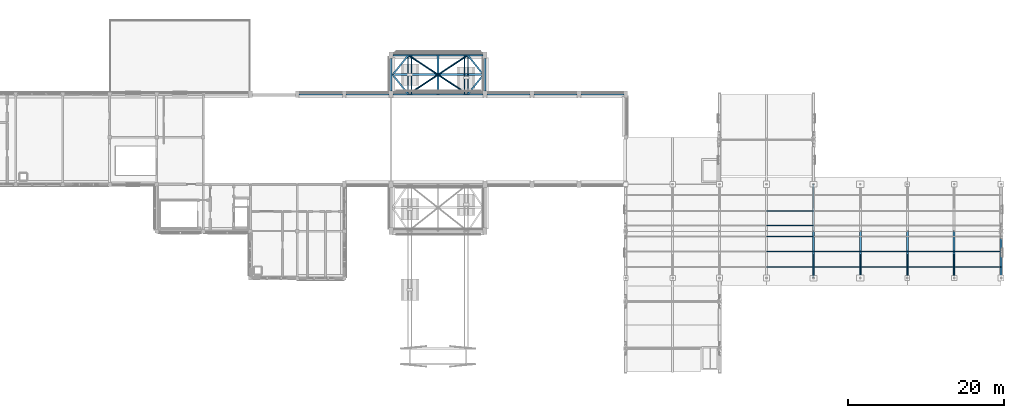
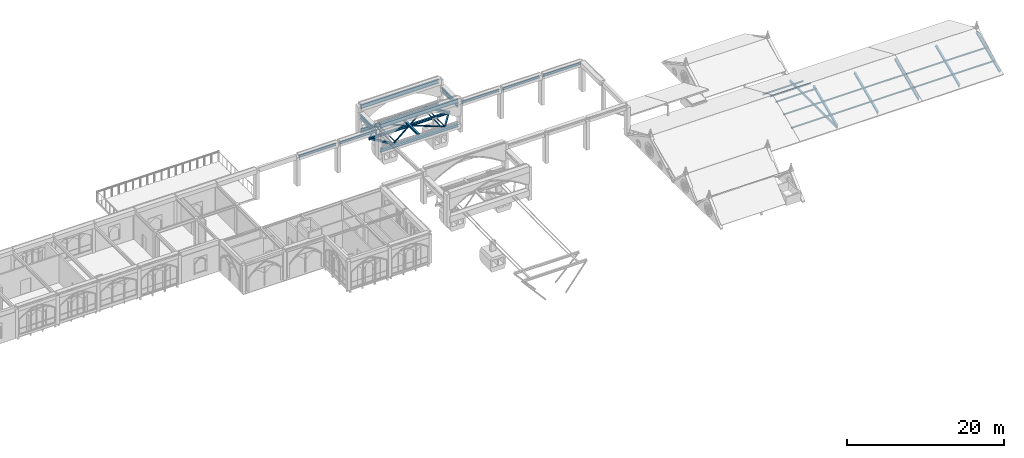
# One storey, part 28 of 59: 37 members, 11 beams.
"""IFC4 building model written with IfcOpenShell, lengths in metres."""

from ifc_helpers import new_model, si_unit, direction, frame, origin, origin_2d, place, context, subcontext, project, spatial, hollow_rectangle, hollow_circle, i_section, extrude, material, material_profile, profile_set, type_object, element, save


model = new_model("IFC4")

# Units and contexts
model_context = context("Model", 3, precision=1e-05, world=origin(), true_north=direction((0.0, 1.0)))
body_context = subcontext(model_context, "Body", "Model", "MODEL_VIEW")
ifc_project = project(units=[si_unit("LENGTHUNIT", "METRE"), si_unit("AREAUNIT", "SQUARE_METRE"), si_unit("VOLUMEUNIT", "CUBIC_METRE"), si_unit("PLANEANGLEUNIT", "RADIAN"), si_unit("MASSUNIT", "GRAM", prefix="KILO")], contexts=[model_context])

# Site, building, storey
site_placement = place(None, origin())
site = spatial("IfcSite", under=ifc_project, at=site_placement, CompositionType="ELEMENT")
building_placement = place(site_placement, origin())
building = spatial("IfcBuilding", under=site, at=building_placement, Name="Cumevento Cable Car Station", CompositionType="ELEMENT")
storey_placement = place(building_placement, frame((0.0, 0.0, 18.0)))
storey = spatial("IfcBuildingStorey", under=building, at=storey_placement, Name="L05", CompositionType="ELEMENT", Elevation=18.0)

# Members
ifc_material_1 = material(Name="Steel ASTM A572 Grade 50", Category="steel")
ifc_material_profile_1 = material_profile(ifc_material_1, hollow_circle(Radius=0.06982421875, WallThickness=0.008056640625, at=origin_2d()), Name="CHS139.7x8.0")
ifc_profile_set_1 = profile_set([ifc_material_profile_1], Name="Steel ASTM A572 Grade 50")
member_type_1 = type_object("IfcMemberType", Name="Framing Brace BR-02 CHS139.7x8.0", PredefinedType="BRACE", material=ifc_profile_set_1)
for number, where, z_axis, x_axis, name in (
    (1, (90.179931640625, 56.5, 1.3798828125), (0.0, 1.0, 0.0), (-1.0, 0.0, 0.0), "North Summit Throat Track Rope A #660"),
    (2, (90.6201171875, 56.5, 1.3798828125), (0.0, 1.0, 0.0), (-1.0, 0.0, 0.0), "North Summit Throat Track Rope B #664"),
    (3, (97.3798828125, 56.5, 1.3798828125), (0.0, 1.0, 0.0), (-1.0, 0.0, 0.0), "North Summit Throat Track Rope A #668"),
    (4, (97.820068359375, 56.5, 1.3798828125), (0.0, 1.0, 0.0), (-1.0, 0.0, 0.0), "North Summit Throat Track Rope B #672"),
):
    element("IfcMember", number, at=place(storey_placement, frame(where, z_axis=z_axis, x_axis=x_axis)), inside=storey, type_object=member_type_1, Name=name, PredefinedType="BRACE", context=body_context, shape_type="SweptSolid", body=[
        extrude(hollow_circle(Radius=0.06982421875, WallThickness=0.008056640625, at=origin_2d()), origin(), (0.0, 0.0, 1.0), 5.0),
    ])
ifc_material_2 = material(Name="Steel ASTM A572 Grade 50", Category="steel")
ifc_material_profile_2 = material_profile(ifc_material_2, hollow_circle(Radius=0.109619140625, WallThickness=0.012451171875, at=origin_2d()), Name="CHS219.1x12.5")
ifc_profile_set_2 = profile_set([ifc_material_profile_2], Name="Steel ASTM A572 Grade 50")
member_type_2 = type_object("IfcMemberType", Name="Framing Brace TD-01 CHS219.1x12.5", PredefinedType="BRACE", material=ifc_profile_set_2)
for number, where, z_axis, x_axis, name in (
    (5, (94.0, 59.0, 1.3798828125), (-0.835420324919, -0.549611572578, 0.0), (0.549611572578, -0.835420324919, 0.0), "North Uphill Summit Ropeway Cabin Portal Bullwheel Radial Spoke #464"),
    (6, (94.0, 59.0, 1.3798828125), (0.835420324919, -0.549611572578, 0.0), (0.549611572578, 0.835420324919, 0.0), "North Uphill Summit Ropeway Cabin Portal Bullwheel Radial Spoke #466"),
    (7, (94.0, 59.0, 1.3798828125), (0.835420324919, 0.549611572578, 0.0), (-0.549611572578, 0.835420324919, 0.0), "North Uphill Summit Ropeway Cabin Portal Bullwheel Radial Spoke #468"),
    (8, (94.0, 59.0, 1.3798828125), (-0.835420324919, 0.549611572578, 0.0), (-0.549611572578, -0.835420324919, 0.0), "North Uphill Summit Ropeway Cabin Portal Bullwheel Radial Spoke #470"),
):
    element("IfcMember", number, at=place(storey_placement, frame(where, z_axis=z_axis, x_axis=x_axis)), inside=storey, type_object=member_type_2, Name=name, PredefinedType="BRACE", context=body_context, shape_type="SweptSolid", body=[
        extrude(hollow_circle(Radius=0.109619140625, WallThickness=0.012451171875, at=origin_2d()), origin(), (0.0, 0.0, 1.0), 4.548583984375),
    ])
ifc_material_3 = material(Name="Steel ASTM A572 Grade 50", Category="steel")
ifc_material_profile_3 = material_profile(ifc_material_3, hollow_circle(Radius=0.084228515625, WallThickness=0.010009765625, at=origin_2d()), Name="CHS168.3x10.0")
ifc_profile_set_3 = profile_set([ifc_material_profile_3], Name="Steel ASTM A572 Grade 50")
member_type_3 = type_object("IfcMemberType", Name="Framing Brace TD-02 CHS168.3x10.0", PredefinedType="BRACE", material=ifc_profile_set_3)
for number, where, z_axis, x_axis, name in (
    (9, (142.0, 33.0, 0.02001953125), (0.0, 0.886677465101, 0.462388443715), (-1.0, 0.0, 0.0), "Cabin Garage Truss Web Brace #364"),
    (10, (148.0, 33.0, 0.02001953125), (0.0, 0.886677465101, 0.462388443715), (-1.0, 0.0, 0.0), "Cabin Garage Truss Web Brace #372"),
    (11, (154.0, 33.0, 0.02001953125), (0.0, 0.886677465101, 0.462388443715), (-1.0, 0.0, 0.0), "Cabin Garage Truss Web Brace #380"),
    (12, (160.0, 33.0, 0.02001953125), (0.0, 0.886677465101, 0.462388443715), (-1.0, 0.0, 0.0), "Cabin Garage Truss Web Brace #388"),
):
    element("IfcMember", number, at=place(storey_placement, frame(where, z_axis=z_axis, x_axis=x_axis)), inside=storey, type_object=member_type_3, Name=name, PredefinedType="BRACE", context=body_context, shape_type="SweptSolid", body=[
        extrude(hollow_circle(Radius=0.084228515625, WallThickness=0.010009765625, at=origin_2d()), origin(), (0.0, 0.0, 1.0), 3.38330078125),
    ])
ifc_material_4 = material(Name="Steel ASTM A572 Grade 50", Category="steel")
ifc_material_profile_4 = material_profile(ifc_material_4, i_section(OverallWidth=0.257080078125, OverallDepth=0.363037109375, WebThickness=0.012939453125, FlangeThickness=0.021728515625, at=origin_2d()), Name="W360x122.0")
ifc_profile_set_4 = profile_set([ifc_material_profile_4], Name="Steel ASTM A572 Grade 50")
member_type_4 = type_object("IfcMemberType", Name="Framing Chord TC-01 W360x122.0", PredefinedType="CHORD", material=ifc_profile_set_4)
member_1_placement = place(storey_placement, frame((94.0, 56.5, 1.3798828125), z_axis=(0.0, 1.0, 0.0), x_axis=(-1.0, 0.0, 0.0)))
element("IfcMember", 13, at=member_1_placement, inside=storey, type_object=member_type_4, Name="North Uphill Summit Ropeway Cabin Portal Bullwheel Spine Carrier #462", PredefinedType="CHORD", context=body_context, shape_type="SweptSolid", body=[
    extrude(i_section(OverallWidth=0.257080078125, OverallDepth=0.363037109375, WebThickness=0.012939453125, FlangeThickness=0.021728515625, at=origin_2d()), origin(), (0.0, 0.0, 1.0), 5.0),
])
member_2_placement = place(storey_placement, frame((88.0, 59.0, 1.3798828125), z_axis=(1.0, 0.0, 0.0), x_axis=(0.0, 1.0, 0.0)))
element("IfcMember", 14, at=member_2_placement, inside=storey, type_object=member_type_4, Name="North Uphill Summit Ropeway Cabin Portal Bullwheel Cross Carrier #463", PredefinedType="CHORD", context=body_context, shape_type="SweptSolid", body=[
    extrude(i_section(OverallWidth=0.257080078125, OverallDepth=0.363037109375, WebThickness=0.012939453125, FlangeThickness=0.021728515625, at=origin_2d()), origin(), (0.0, 0.0, 1.0), 12.0),
])
ifc_material_5 = material(Name="Steel ASTM A572 Grade 50", Category="steel")
ifc_material_profile_5 = material_profile(ifc_material_5, i_section(OverallWidth=0.25390625, OverallDepth=0.305908203125, WebThickness=0.0087890625, FlangeThickness=0.0146484375, at=origin_2d()), Name="W310x79.0")
ifc_profile_set_5 = profile_set([ifc_material_profile_5], Name="Steel ASTM A572 Grade 50")
member_type_5 = type_object("IfcMemberType", Name="Framing Chord TC-03 W310x79.0", PredefinedType="CHORD", material=ifc_profile_set_5)
for number, where, z_axis, x_axis, name in (
    (15, (142.0, 33.0, 0.280029296875), (0.0, 0.917059377477, 0.398750671701), (-1.0, 0.0, 0.0), "Cabin Garage Truss Top Chord #366"),
    (16, (148.0, 33.0, 0.280029296875), (0.0, 0.917059377477, 0.398750671701), (-1.0, 0.0, 0.0), "Cabin Garage Truss Top Chord #374"),
    (17, (154.0, 33.0, 0.280029296875), (0.0, 0.917059377477, 0.398750671701), (-1.0, 0.0, 0.0), "Cabin Garage Truss Top Chord #382"),
    (18, (160.0, 33.0, 0.280029296875), (0.0, 0.917059377477, 0.398750671701), (-1.0, 0.0, 0.0), "Cabin Garage Truss Top Chord #390"),
    (19, (166.0, 33.0, 0.280029296875), (0.0, 0.917059377477, 0.398750671701), (-1.0, 0.0, 0.0), "Cabin Garage Truss Top Chord #395"),
):
    element("IfcMember", number, at=place(storey_placement, frame(where, z_axis=z_axis, x_axis=x_axis)), inside=storey, type_object=member_type_5, Name=name, PredefinedType="CHORD", context=body_context, shape_type="SweptSolid", body=[
        extrude(i_section(OverallWidth=0.25390625, OverallDepth=0.305908203125, WebThickness=0.0087890625, FlangeThickness=0.0146484375, at=origin_2d()), origin(), (0.0, 0.0, 1.0), 6.542724609375),
    ])
ifc_material_6 = material(Name="Steel ASTM A572 Grade 50", Category="steel")
ifc_material_profile_6 = material_profile(ifc_material_6, hollow_rectangle(XDim=0.199951171875, YDim=0.300048828125, WallThickness=0.012451171875, at=origin_2d()), Name="HSS300x200x12.5")
ifc_profile_set_6 = profile_set([ifc_material_profile_6], Name="Steel ASTM A572 Grade 50")
member_type_6 = type_object("IfcMemberType", Name="Framing Chord TC-04 HSS300x200x12.5", PredefinedType="CHORD", material=ifc_profile_set_6)
member_3_placement = place(storey_placement, frame((142.0, 33.0, 0.02001953125), z_axis=(0.0, 1.0, 0.0), x_axis=(-1.0, 0.0, 0.0)))
element("IfcMember", 20, at=member_3_placement, inside=storey, type_object=member_type_6, Name="Cabin Garage Truss Bottom Tie Chord #362", PredefinedType="CHORD", context=body_context, shape_type="SweptSolid", body=[
    extrude(hollow_rectangle(XDim=0.199951171875, YDim=0.300048828125, WallThickness=0.012451171875, at=origin_2d()), origin(), (0.0, 0.0, 1.0), 12.0),
])
for number, where, z_axis, x_axis, name in (
    (21, (97.800048828125, 56.5, 1.3798828125), (0.624695047554, 0.780868809443, 0.0), (-0.780868809443, 0.624695047554, 0.0), "North Uphill Summit Ropeway Cabin Portal Bullwheel Rim Segment #465"),
    (22, (99.800048828125, 59.0, 1.3798828125), (-0.624695047554, 0.780868809443, 0.0), (-0.780868809443, -0.624695047554, 0.0), "North Uphill Summit Ropeway Cabin Portal Bullwheel Rim Segment #467"),
    (23, (90.199951171875, 61.5, 1.3798828125), (-0.624695047554, -0.780868809443, 0.0), (0.780868809443, -0.624695047554, 0.0), "North Uphill Summit Ropeway Cabin Portal Bullwheel Rim Segment #469"),
    (24, (88.199951171875, 59.0, 1.3798828125), (0.624695047554, -0.780868809443, 0.0), (0.780868809443, 0.624695047554, 0.0), "North Uphill Summit Ropeway Cabin Portal Bullwheel Rim Segment #471"),
):
    element("IfcMember", number, at=place(storey_placement, frame(where, z_axis=z_axis, x_axis=x_axis)), inside=storey, type_object=member_type_6, Name=name, PredefinedType="CHORD", context=body_context, shape_type="SweptSolid", body=[
        extrude(hollow_rectangle(XDim=0.199951171875, YDim=0.300048828125, WallThickness=0.012451171875, at=origin_2d()), origin(), (0.0, 0.0, 1.0), 3.20166015625),
    ])
ifc_material_7 = material(Name="Steel ASTM A572 Grade 50", Category="steel")
ifc_material_profile_7 = material_profile(ifc_material_7, i_section(OverallWidth=0.133056640625, OverallDepth=0.20703125, WebThickness=0.005859375, FlangeThickness=0.00830078125, at=origin_2d()), Name="W200x26.6")
ifc_profile_set_7 = profile_set([ifc_material_profile_7], Name="Steel ASTM A572 Grade 50")
member_type_7 = type_object("IfcMemberType", Name="Framing Purlin PR-02 W200x26.6", PredefinedType="PURLIN", material=ifc_profile_set_7)
for number, where, z_axis, x_axis, name in (
    (25, (136.0, 34.39990234375, 1.169677734375), (1.0, 0.0, 0.0), (0.0, 1.0, 0.0), "Cabin Garage Purlin #415"),
    (26, (136.0, 36.39990234375, 2.039306640625), (1.0, 0.0, 0.0), (0.0, 1.0, 0.0), "Cabin Garage Purlin #416"),
    (27, (136.0, 38.300048828125, 2.865234375), (1.0, 0.0, 0.0), (0.0, 1.0, 0.0), "Cabin Garage Purlin #417"),
    (28, (136.0, 39.699951171875, 2.865234375), (1.0, 0.0, 0.0), (0.0, 1.0, 0.0), "Cabin Garage Purlin #418"),
    (29, (136.0, 41.60009765625, 2.039306640625), (1.0, 0.0, 0.0), (0.0, 1.0, 0.0), "Cabin Garage Purlin #419"),
    (30, (142.0, 34.39990234375, 1.169677734375), (1.0, 0.0, 0.0), (0.0, 1.0, 0.0), "Cabin Garage Purlin #421"),
    (31, (142.0, 36.39990234375, 2.039306640625), (1.0, 0.0, 0.0), (0.0, 1.0, 0.0), "Cabin Garage Purlin #422"),
    (32, (148.0, 34.39990234375, 1.169677734375), (1.0, 0.0, 0.0), (0.0, 1.0, 0.0), "Cabin Garage Purlin #427"),
    (33, (148.0, 36.39990234375, 2.039306640625), (1.0, 0.0, 0.0), (0.0, 1.0, 0.0), "Cabin Garage Purlin #428"),
    (34, (154.0, 34.39990234375, 1.169677734375), (1.0, 0.0, 0.0), (0.0, 1.0, 0.0), "Cabin Garage Purlin #433"),
    (35, (154.0, 36.39990234375, 2.039306640625), (1.0, 0.0, 0.0), (0.0, 1.0, 0.0), "Cabin Garage Purlin #434"),
    (36, (160.0, 34.39990234375, 1.169677734375), (1.0, 0.0, 0.0), (0.0, 1.0, 0.0), "Cabin Garage Purlin #439"),
    (37, (160.0, 36.39990234375, 2.039306640625), (1.0, 0.0, 0.0), (0.0, 1.0, 0.0), "Cabin Garage Purlin #440"),
):
    element("IfcMember", number, at=place(storey_placement, frame(where, z_axis=z_axis, x_axis=x_axis)), inside=storey, type_object=member_type_7, Name=name, PredefinedType="PURLIN", context=body_context, shape_type="SweptSolid", body=[
        extrude(i_section(OverallWidth=0.133056640625, OverallDepth=0.20703125, WebThickness=0.005859375, FlangeThickness=0.00830078125, at=origin_2d()), origin(), (0.0, 0.0, 1.0), 6.0),
    ])

# Beams
ifc_material_8 = material(Name="Steel ASTM A572 Grade 50", Category="steel")
ifc_material_profile_8 = material_profile(ifc_material_8, i_section(OverallWidth=0.22998046875, OverallDepth=0.616943359375, WebThickness=0.01318359375, FlangeThickness=0.022216796875, at=origin_2d()), Name="W610x140.0")
ifc_profile_set_8 = profile_set([ifc_material_profile_8], Name="Steel ASTM A572 Grade 50")
beam_type_1 = type_object("IfcBeamType", Name="Structural Beam BM-01 W610x140.0", PredefinedType="BEAM", material=ifc_profile_set_8)
for number, where, z_axis, x_axis, name in (
    (38, (88.25, 56.5, 4.79150390625), (1.0, 0.0, 0.0), (0.0, 1.0, 0.0), "Cabin Throat Clear-Span Header Girder Y=56.5"),
    (39, (88.25, 56.5, 1.04150390625), (1.0, 0.0, 0.0), (0.0, 1.0, 0.0), "Cabin Throat Overhead Ropeway Saddle Girder Y=56.5"),
    (40, (88.25, 61.5, 4.79150390625), (1.0, 0.0, 0.0), (0.0, 1.0, 0.0), "North Uphill Summit Ropeway Cabin Portal Outer Arch Header Girder"),
    (41, (88.25, 61.5, 1.04150390625), (1.0, 0.0, 0.0), (0.0, 1.0, 0.0), "North Uphill Summit Ropeway Cabin Portal Outer Ropeway Saddle Girder"),
):
    element("IfcBeam", number, at=place(storey_placement, frame(where, z_axis=z_axis, x_axis=x_axis)), inside=storey, type_object=beam_type_1, Name=name, PredefinedType="BEAM", context=body_context, shape_type="SweptSolid", body=[
        extrude(i_section(OverallWidth=0.22998046875, OverallDepth=0.616943359375, WebThickness=0.01318359375, FlangeThickness=0.022216796875, at=origin_2d()), origin(), (0.0, 0.0, 1.0), 11.5),
    ])
ifc_material_9 = material(Name="Steel ASTM A572 Grade 50", Category="steel")
ifc_material_profile_9 = material_profile(ifc_material_9, i_section(OverallWidth=0.22802734375, OverallDepth=0.60791015625, WebThickness=0.01123046875, FlangeThickness=0.017333984375, at=origin_2d()), Name="W610x113.0")
ifc_profile_set_9 = profile_set([ifc_material_profile_9], Name="Steel ASTM A572 Grade 50")
beam_type_2 = type_object("IfcBeamType", Name="Structural Beam BM-02 W610x113.0", PredefinedType="BEAM", material=ifc_profile_set_9)
for number, where, z_axis, x_axis, name in (
    (42, (88.0, 56.925048828125, 3.64599609375), (0.0, 1.0, 0.0), (-1.0, 0.0, 0.0), "North Uphill Summit Ropeway Cabin Portal Buttress Tie Girder L05 #87"),
    (43, (100.0, 56.925048828125, 3.64599609375), (0.0, 1.0, 0.0), (-1.0, 0.0, 0.0), "North Uphill Summit Ropeway Cabin Portal Buttress Tie Girder L05 #88"),
):
    element("IfcBeam", number, at=place(storey_placement, frame(where, z_axis=z_axis, x_axis=x_axis)), inside=storey, type_object=beam_type_2, Name=name, PredefinedType="BEAM", context=body_context, shape_type="SweptSolid", body=[
        extrude(i_section(OverallWidth=0.22802734375, OverallDepth=0.60791015625, WebThickness=0.01123046875, FlangeThickness=0.017333984375, at=origin_2d()), origin(), (0.0, 0.0, 1.0), 4.14990234375),
    ])
ifc_material_10 = material(Name="Steel ASTM A572 Grade 50", Category="steel")
ifc_material_profile_10 = material_profile(ifc_material_10, i_section(OverallWidth=0.177978515625, OverallDepth=0.406982421875, WebThickness=0.0078125, FlangeThickness=0.0126953125, at=origin_2d()), Name="W410x60.0")
ifc_profile_set_10 = profile_set([ifc_material_profile_10], Name="Steel ASTM A572 Grade 50")
beam_type_3 = type_object("IfcBeamType", Name="Structural Spandrel SP-01 W410x60.0", PredefinedType="SPANDREL", material=ifc_profile_set_10)
for number, where, z_axis, x_axis, name in (
    (44, (76.25, 56.5, 4.29638671875), (1.0, 0.0, 0.0), (0.0, 1.0, 0.0), "Beam SP-01 L05 #1620"),
    (45, (82.25, 56.5, 4.29638671875), (1.0, 0.0, 0.0), (0.0, 1.0, 0.0), "Beam SP-01 L05 #1621"),
    (46, (100.25, 56.5, 4.29638671875), (1.0, 0.0, 0.0), (0.0, 1.0, 0.0), "Beam SP-01 L05 #1626"),
    (47, (106.25, 56.5, 4.29638671875), (1.0, 0.0, 0.0), (0.0, 1.0, 0.0), "Beam SP-01 L05 #1627"),
    (48, (112.25, 56.5, 4.29638671875), (1.0, 0.0, 0.0), (0.0, 1.0, 0.0), "Beam SP-01 L05 #1628"),
):
    element("IfcBeam", number, at=place(storey_placement, frame(where, z_axis=z_axis, x_axis=x_axis)), inside=storey, type_object=beam_type_3, Name=name, PredefinedType="SPANDREL", context=body_context, shape_type="SweptSolid", body=[
        extrude(i_section(OverallWidth=0.177978515625, OverallDepth=0.406982421875, WebThickness=0.0078125, FlangeThickness=0.0126953125, at=origin_2d()), origin(), (0.0, 0.0, 1.0), 5.5),
    ])

save(model, "model.ifc")
